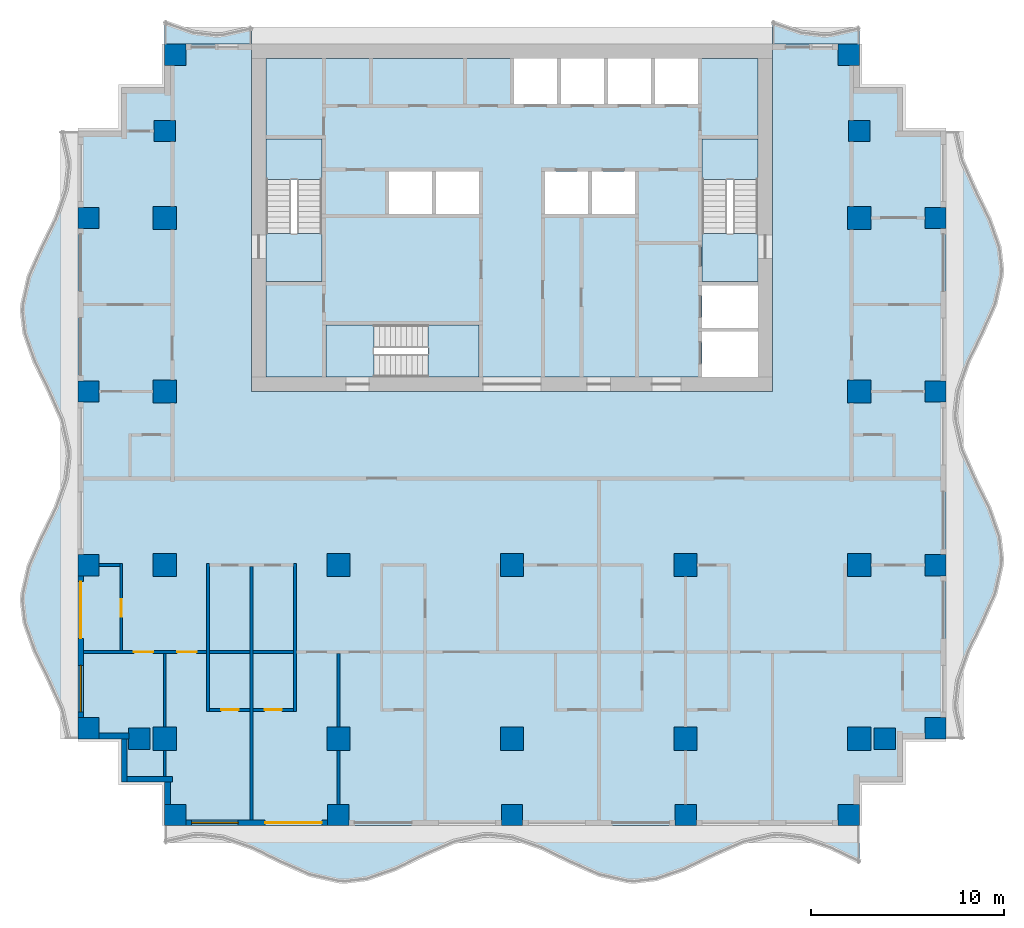
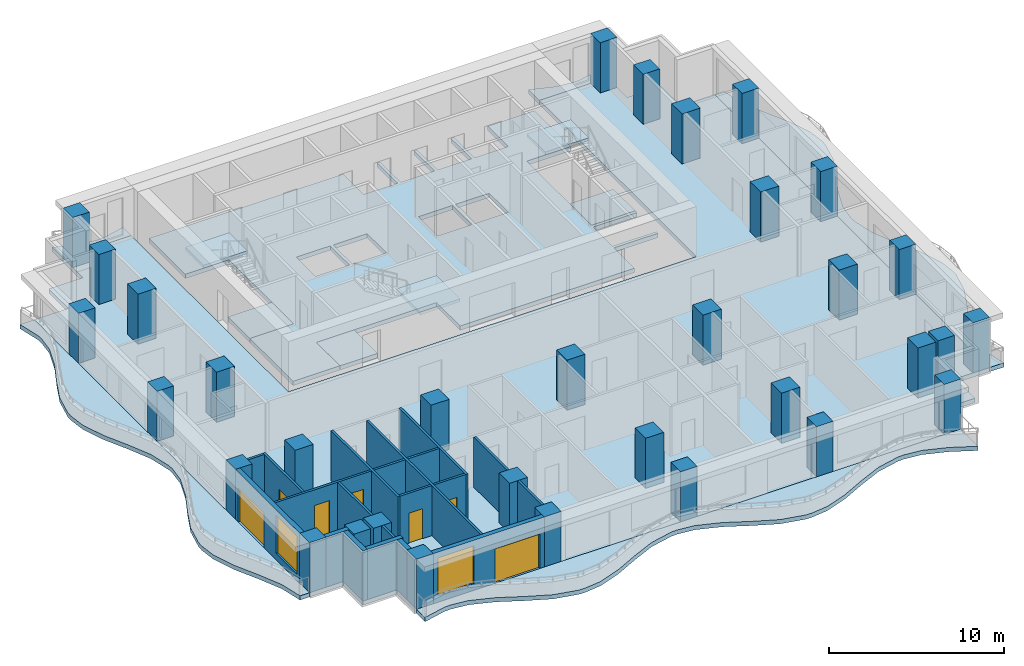
# One storey, part 1 of 10: 33 columns, 20 walls, 13 slabs, 7 doors, 2 windows, 9 openings, 3 elements without a shape of their own.
"""IFC4 building model written with IfcOpenShell, lengths in metres."""

from ifc_helpers import new_model, si_unit, direction, frame, frame_2d, origin, origin_2d, place, context, subcontext, project, spatial, polyline, rectangle, outline, extrude, material, layer, layer_set, material_profile, profile_set, type_object, element, fill, aggregate, save


model = new_model("IFC4")

# Units and contexts
model_context = context("Model", 3, precision=1e-05, world=origin(), true_north=direction((0.0, 1.0)))
body_context = subcontext(model_context, "Body", "Model", "MODEL_VIEW")
ifc_project = project(units=[si_unit("LENGTHUNIT", "METRE"), si_unit("AREAUNIT", "SQUARE_METRE"), si_unit("VOLUMEUNIT", "CUBIC_METRE"), si_unit("PLANEANGLEUNIT", "RADIAN"), si_unit("MASSUNIT", "GRAM", prefix="KILO")], contexts=[model_context])

# Site, building, storey
site_placement = place(None, origin())
site = spatial("IfcSite", under=ifc_project, at=site_placement, CompositionType="ELEMENT")
building_placement = place(site_placement, origin())
building = spatial("IfcBuilding", under=site, at=building_placement, Name="Orbiselva Terraces", CompositionType="ELEMENT")
storey_placement = place(building_placement, frame((0.0, 0.0, 163.0)))
storey = spatial("IfcBuildingStorey", under=building, at=storey_placement, Name="L41", CompositionType="ELEMENT", Elevation=163.0)

# Columns
ifc_material_1 = material(Name="Concrete C60/75", Category="concrete")
ifc_material_profile_1 = material_profile(ifc_material_1, rectangle(XDim=1.2, YDim=1.2, at=origin_2d()), Name="RC 1200x1200")
ifc_profile_set_1 = profile_set([ifc_material_profile_1], Name="Concrete C60/75")
column_type_1 = type_object("IfcColumnType", Name="COLUMN RC 1200x1200", PredefinedType="COLUMN", material=ifc_profile_set_1)
for number, where, z_axis, x_axis, name in (
    (1, (-18.0, -13.5, 0.0), (0.0, 0.0, 1.0), (1.0, 0.0, 0.0), "Column L41-01"),
    (2, (-18.0, -4.5, 0.0), (0.0, 0.0, 1.0), (1.0, 0.0, 0.0), "Column L41-03"),
    (3, (-18.0, 13.5, 0.0), (0.0, 0.0, 1.0), (1.0, 0.0, 0.0), "Column L41-04"),
    (4, (-18.0, 4.5, 0.0), (0.0, 0.0, 1.0), (1.0, 0.0, 0.0), "Column L41-06"),
    (5, (-9.0, -13.5, 0.0), (0.0, 0.0, 1.0), (1.0, 0.0, 0.0), "Column L41-13"),
    (6, (-9.0, -4.5, 0.0), (0.0, 0.0, 1.0), (1.0, 0.0, 0.0), "Column L41-15"),
    (7, (0.0, -13.5, 0.0), (0.0, 0.0, 1.0), (1.0, 0.0, 0.0), "Column L41-16"),
    (8, (0.0, -4.5, 0.0), (0.0, 0.0, 1.0), (1.0, 0.0, 0.0), "Column L41-18"),
    (9, (18.0, -13.5, 0.0), (0.0, 0.0, 1.0), (1.0, 0.0, 0.0), "Column L41-19"),
    (10, (18.0, -4.5, 0.0), (0.0, 0.0, 1.0), (1.0, 0.0, 0.0), "Column L41-21"),
    (11, (18.0, 13.5, 0.0), (0.0, 0.0, 1.0), (1.0, 0.0, 0.0), "Column L41-22"),
    (12, (18.0, 4.5, 0.0), (0.0, 0.0, 1.0), (1.0, 0.0, 0.0), "Column L41-24"),
    (13, (9.0, -13.5, 0.0), (0.0, 0.0, 1.0), (1.0, 0.0, 0.0), "Column L41-31"),
    (14, (9.0, -4.5, 0.0), (0.0, 0.0, 1.0), (1.0, 0.0, 0.0), "Column L41-33"),
):
    element("IfcColumn", number, at=place(storey_placement, frame(where, z_axis=z_axis, x_axis=x_axis)), inside=storey, type_object=column_type_1, Name=name, PredefinedType="COLUMN", context=body_context, shape_type="SweptSolid", body=[
        extrude(rectangle(XDim=1.2, YDim=1.2, at=origin_2d()), origin(), (0.0, 0.0, 1.0), 3.5),
    ])
ifc_material_profile_2 = material_profile(ifc_material_1, rectangle(XDim=1.1, YDim=1.1, at=origin_2d()), Name="RC 1100x1100")
ifc_profile_set_2 = profile_set([ifc_material_profile_2], Name="Concrete C60/75")
column_type_2 = type_object("IfcColumnType", Name="PERIMETER COLUMN RC 1100x1100", PredefinedType="COLUMN", material=ifc_profile_set_2)
for number, where, z_axis, x_axis, name in (
    (15, (-17.45, -17.45, 0.0), (0.0, 0.0, 1.0), (1.0, 0.0, 0.0), "Column L41-02"),
    (16, (-17.45, 21.95, 0.0), (0.0, 0.0, 1.0), (1.0, 0.0, 0.0), "Column L41-05"),
    (17, (-21.95, -12.95, 0.0), (0.0, 0.0, 1.0), (1.0, 0.0, 0.0), "Column L41-07"),
    (18, (-19.32, -13.5, 0.0), (0.0, 0.0, 1.0), (1.0, 0.0, 0.0), "Column L41-08"),
    (19, (-21.95, -4.5, 0.0), (0.0, 0.0, 1.0), (1.0, 0.0, 0.0), "Column L41-09"),
    (20, (-21.95, 13.5, 0.0), (0.0, 0.0, 1.0), (1.0, 0.0, 0.0), "Column L41-10"),
    (21, (-18.0, 18.0, 0.0), (0.0, 0.0, 1.0), (1.0, 0.0, 0.0), "Column L41-11"),
    (22, (-21.95, 4.5, 0.0), (0.0, 0.0, 1.0), (1.0, 0.0, 0.0), "Column L41-12"),
    (23, (-9.0, -17.45, 0.0), (0.0, 0.0, 1.0), (1.0, 0.0, 0.0), "Column L41-14"),
    (24, (0.0, -17.45, 0.0), (0.0, 0.0, 1.0), (1.0, 0.0, 0.0), "Column L41-17"),
    (25, (17.45, -17.45, 0.0), (0.0, 0.0, 1.0), (1.0, 0.0, 0.0), "Column L41-20"),
    (26, (17.45, 21.95, 0.0), (0.0, 0.0, 1.0), (1.0, 0.0, 0.0), "Column L41-23"),
    (27, (21.95, -12.95, 0.0), (0.0, 0.0, 1.0), (1.0, 0.0, 0.0), "Column L41-25"),
    (28, (19.32, -13.5, 0.0), (0.0, 0.0, 1.0), (1.0, 0.0, 0.0), "Column L41-26"),
    (29, (21.95, -4.5, 0.0), (0.0, 0.0, 1.0), (1.0, 0.0, 0.0), "Column L41-27"),
    (30, (21.95, 13.5, 0.0), (0.0, 0.0, 1.0), (1.0, 0.0, 0.0), "Column L41-28"),
    (31, (18.0, 18.0, 0.0), (0.0, 0.0, 1.0), (1.0, 0.0, 0.0), "Column L41-29"),
    (32, (21.95, 4.5, 0.0), (0.0, 0.0, 1.0), (1.0, 0.0, 0.0), "Column L41-30"),
    (33, (9.0, -17.45, 0.0), (0.0, 0.0, 1.0), (1.0, 0.0, 0.0), "Column L41-32"),
):
    element("IfcColumn", number, at=place(storey_placement, frame(where, z_axis=z_axis, x_axis=x_axis)), inside=storey, type_object=column_type_2, Name=name, PredefinedType="COLUMN", context=body_context, shape_type="SweptSolid", body=[
        extrude(rectangle(XDim=1.1, YDim=1.1, at=origin_2d()), origin(), (0.0, 0.0, 1.0), 3.5),
    ])

# Slabs
ifc_material_2 = material(Name="Concrete C40/50", Category="concrete")
ifc_layer_1 = layer(ifc_material_2, 0.3)
ifc_layer_set_1 = layer_set([ifc_layer_1], Name="Concrete C40/50")
slab_type_1 = type_object("IfcSlabType", Name="CORE-SLAB-FLOOR-300", PredefinedType="FLOOR", material=ifc_layer_set_1)
slab_1_placement = place(storey_placement, frame((0.0, 0.0, -0.3)))
element("IfcSlab", 34, at=slab_1_placement, inside=storey, type_object=slab_type_1, Name="L41 S1 floor landing", PredefinedType="FLOOR", context=body_context, shape_type="SweptSolid", body=[
    extrude(outline(polyline([(-12.75, 12.7), (-9.85, 12.7), (-9.85, 10.2), (-12.75, 10.2), (-12.75, 12.7)])), origin(), (0.0, 0.0, 1.0), 0.3),
])
slab_2_placement = place(storey_placement, frame((0.0, 0.0, -0.3)))
element("IfcSlab", 35, at=slab_2_placement, inside=storey, type_object=slab_type_1, Name="L41 S2 floor landing", PredefinedType="FLOOR", context=body_context, shape_type="SweptSolid", body=[
    extrude(outline(polyline([(12.75, 12.7), (12.75, 10.2), (9.85, 10.2), (9.85, 12.7), (12.75, 12.7)])), origin(), (0.0, 0.0, 1.0), 0.3),
])
slab_3_placement = place(storey_placement, frame((0.0, 0.0, -0.3)))
element("IfcSlab", 36, at=slab_3_placement, inside=storey, type_object=slab_type_1, Name="L41 S3 floor landing", PredefinedType="FLOOR", context=body_context, shape_type="SweptSolid", body=[
    extrude(outline(polyline([(-7.15, 5.25), (-9.65, 5.25), (-9.65, 7.95), (-7.15, 7.95), (-7.15, 5.25)])), origin(), (0.0, 0.0, 1.0), 0.3),
])
slab_4_placement = place(storey_placement, frame((0.0, 0.0, -0.3)))
element("IfcSlab", 37, at=slab_4_placement, inside=storey, type_object=slab_type_1, Name="L41 core floor slab 1", PredefinedType="FLOOR", context=body_context, shape_type="SweptSolid", body=[
    extrude(outline(polyline([(-1.7, 5.25), (-1.7, 7.95), (-9.65, 7.95), (-9.65, 5.25), (-12.75, 5.25), (-12.75, 10.2), (-9.85, 10.2), (-9.85, 17.6), (-12.75, 17.6), (-12.75, 21.75), (0.1, 21.75), (0.1, 19.4), (2.3375, 19.4), (2.3375, 21.75), (2.5375, 21.75), (2.5375, 19.4), (4.775, 19.4), (4.775, 21.75), (4.975, 21.75), (4.975, 19.4), (7.2125, 19.4), (7.2125, 21.75), (7.4125, 21.75), (7.4125, 19.4), (9.65, 19.4), (9.65, 21.75), (12.75, 21.75), (12.75, 17.6), (9.85, 17.6), (9.85, 10.2), (12.75, 10.2), (12.75, 10.0), (9.85, 10.0), (9.85, 7.8), (12.75, 7.8), (12.75, 7.6), (9.85, 7.6), (9.85, 5.25), (-1.7, 5.25)]), holes=[polyline([(-4.1375, 13.7), (-4.1375, 15.9), (-6.375, 15.9), (-6.375, 13.7), (-4.1375, 13.7)]), polyline([(-1.7, 13.7), (-1.7, 15.9), (-3.9375, 15.9), (-3.9375, 13.7), (-1.7, 13.7)]), polyline([(3.9375, 15.9), (1.7, 15.9), (1.7, 13.7), (3.9375, 13.7), (3.9375, 15.9)]), polyline([(6.375, 13.7), (6.375, 15.9), (4.1375, 15.9), (4.1375, 13.7), (6.375, 13.7)])]), origin(), (0.0, 0.0, 1.0), 0.3),
])

# Stair, slab
stair_type_1 = type_object("IfcStairType", Name="CORE-STAIR-1300", PredefinedType="HALF_TURN_STAIR", material=ifc_material_2)
stair_1_placement = place(storey_placement, origin())
stair_1 = element("IfcStair", 38, at=stair_1_placement, inside=storey, type_object=stair_type_1, Name="L41 Exit Stair S1", PredefinedType="HALF_TURN_STAIR")
ifc_layer_2 = layer(ifc_material_2, 0.2)
ifc_layer_set_2 = layer_set([ifc_layer_2], Name="Concrete C40/50")
slab_type_2 = type_object("IfcSlabType", Name="CORE-STAIR-LANDING-200", PredefinedType="LANDING", material=ifc_layer_set_2)
slab_5_placement = place(storey_placement, frame((0.0, 0.0, 1.7)))
slab_5 = element("IfcSlab", 39, at=slab_5_placement, type_object=slab_type_2, Name="S1 landing 1", PredefinedType="LANDING", context=body_context, shape_type="SweptSolid", body=[
    extrude(outline(polyline([(-9.85, 15.5), (-9.85, 17.6), (-12.75, 17.6), (-12.75, 15.5), (-9.85, 15.5)])), origin(), (0.0, 0.0, 1.0), 0.2),
])
aggregate(stair_1, [slab_5])

stair_2_placement = place(storey_placement, origin())
stair_2 = element("IfcStair", 40, at=stair_2_placement, inside=storey, type_object=stair_type_1, Name="L41 Exit Stair S2", PredefinedType="HALF_TURN_STAIR")
slab_6_placement = place(storey_placement, frame((0.0, 0.0, 1.7)))
slab_6 = element("IfcSlab", 41, at=slab_6_placement, type_object=slab_type_2, Name="S2 landing 1", PredefinedType="LANDING", context=body_context, shape_type="SweptSolid", body=[
    extrude(outline(polyline([(12.75, 15.5), (12.75, 17.6), (9.85, 17.6), (9.85, 15.5), (12.75, 15.5)])), origin(), (0.0, 0.0, 1.0), 0.2),
])
aggregate(stair_2, [slab_6])

stair_type_2 = type_object("IfcStairType", Name="CORE-STAIR-1200", PredefinedType="HALF_TURN_STAIR", material=ifc_material_2)
stair_3_placement = place(storey_placement, origin())
stair_3 = element("IfcStair", 42, at=stair_3_placement, inside=storey, type_object=stair_type_2, Name="L41 Exit Stair S3", PredefinedType="HALF_TURN_STAIR")
slab_7_placement = place(storey_placement, frame((0.0, 0.0, 1.7)))
slab_7 = element("IfcSlab", 43, at=slab_7_placement, type_object=slab_type_2, Name="S3 landing 1", PredefinedType="LANDING", context=body_context, shape_type="SweptSolid", body=[
    extrude(outline(polyline([(-4.35, 5.25), (-1.7, 5.25), (-1.7, 7.95), (-4.35, 7.95), (-4.35, 5.25)])), origin(), (0.0, 0.0, 1.0), 0.2),
])
aggregate(stair_3, [slab_7])

# Slabs
ifc_material_3 = material(Name="Concrete C50/60", Category="concrete")
ifc_layer_3 = layer(ifc_material_3, 0.3)
ifc_layer_set_3 = layer_set([ifc_layer_3], Name="Concrete C50/60")
slab_type_3 = type_object("IfcSlabType", Name="ENV-BALCONY-SLAB-300", PredefinedType="FLOOR", material=ifc_layer_set_3)
slab_8_placement = place(storey_placement, frame((0.0, 0.0, -0.3)))
element("IfcSlab", 44, at=slab_8_placement, inside=storey, type_object=slab_type_3, Name="Balcony slab L41 S", PredefinedType="FLOOR", context=body_context, shape_type="SweptSolid", body=[
    extrude(outline(polyline([(-18.0, -18.951472), (-16.5, -18.614774), (-16.125, -18.6), (-15.0, -18.730792), (-13.5, -19.255211), (-12.0, -19.987721), (-10.5, -20.648528), (-9.0, -20.985226), (-8.625, -21.0), (-7.5, -20.869208), (-6.0, -20.344789), (-4.5, -19.612279), (-3.0, -18.951472), (-1.5, -18.614774), (-1.125, -18.6), (0.0, -18.730792), (1.5, -19.255211), (3.0, -19.987721), (4.5, -20.648528), (6.0, -20.985226), (6.375, -21.0), (7.5, -20.869208), (9.0, -20.344789), (10.5, -19.612279), (12.0, -18.951472), (13.5, -18.614774), (13.875, -18.6), (15.0, -18.730792), (16.5, -19.255211), (18.0, -19.987721), (18.0, -18.0), (-18.0, -18.0), (-18.0, -18.951472)])), origin(), (0.0, 0.0, 1.0), 0.3),
])
slab_9_placement = place(storey_placement, frame((0.0, 0.0, -0.3)))
element("IfcSlab", 45, at=slab_9_placement, inside=storey, type_object=slab_type_3, Name="Balcony slab L41 E", PredefinedType="FLOOR", context=body_context, shape_type="SweptSolid", body=[
    extrude(outline(polyline([(23.451472, -13.5), (23.114774, -12.0), (23.1, -11.625), (23.230792, -10.5), (23.755211, -9.0), (24.487721, -7.5), (25.148528, -6.0), (25.485226, -4.5), (25.5, -4.125), (25.369208, -3.0), (24.844789, -1.5), (24.112279, 0.0), (23.451472, 1.5), (23.114774, 3.0), (23.1, 3.375), (23.230792, 4.5), (23.755211, 6.0), (24.487721, 7.5), (25.148528, 9.0), (25.485226, 10.5), (25.5, 10.875), (25.369208, 12.0), (24.844789, 13.5), (24.112279, 15.0), (23.451472, 16.5), (23.114774, 18.0), (22.5, 18.0), (22.5, -13.5), (23.451472, -13.5)])), origin(), (0.0, 0.0, 1.0), 0.3),
])
slab_10_placement = place(storey_placement, frame((0.0, 0.0, -0.3)))
element("IfcSlab", 46, at=slab_10_placement, inside=storey, type_object=slab_type_3, Name="Balcony slab L41 NE", PredefinedType="FLOOR", context=body_context, shape_type="SweptSolid", body=[
    extrude(outline(polyline([(18.0, 23.451472), (16.5, 23.114774), (16.125, 23.1), (15.0, 23.230792), (13.5, 23.755211), (13.5, 22.5), (18.0, 22.5), (18.0, 23.451472)])), origin(), (0.0, 0.0, 1.0), 0.3),
])
slab_11_placement = place(storey_placement, frame((0.0, 0.0, -0.3)))
element("IfcSlab", 47, at=slab_11_placement, inside=storey, type_object=slab_type_3, Name="Balcony slab L41 NW", PredefinedType="FLOOR", context=body_context, shape_type="SweptSolid", body=[
    extrude(outline(polyline([(-13.5, 23.451472), (-15.0, 23.114774), (-15.375, 23.1), (-16.5, 23.230792), (-18.0, 23.755211), (-18.0, 22.5), (-13.5, 22.5), (-13.5, 23.451472)])), origin(), (0.0, 0.0, 1.0), 0.3),
])
slab_12_placement = place(storey_placement, frame((0.0, 0.0, -0.3)))
element("IfcSlab", 48, at=slab_12_placement, inside=storey, type_object=slab_type_3, Name="Balcony slab L41 W", PredefinedType="FLOOR", context=body_context, shape_type="SweptSolid", body=[
    extrude(outline(polyline([(-23.451472, 18.0), (-23.114774, 16.5), (-23.1, 16.125), (-23.230792, 15.0), (-23.755211, 13.5), (-24.487721, 12.0), (-25.148528, 10.5), (-25.485226, 9.0), (-25.5, 8.625), (-25.369208, 7.5), (-24.844789, 6.0), (-24.112279, 4.5), (-23.451472, 3.0), (-23.114774, 1.5), (-23.1, 1.125), (-23.230792, 0.0), (-23.755211, -1.5), (-24.487721, -3.0), (-25.148528, -4.5), (-25.485226, -6.0), (-25.5, -6.375), (-25.369208, -7.5), (-24.844789, -9.0), (-24.112279, -10.5), (-23.451472, -12.0), (-23.114774, -13.5), (-22.5, -13.5), (-22.5, 18.0), (-23.451472, 18.0)])), origin(), (0.0, 0.0, 1.0), 0.3),
])
ifc_layer_4 = layer(ifc_material_3, 0.3)
ifc_layer_set_4 = layer_set([ifc_layer_4], Name="Concrete C50/60")
slab_type_4 = type_object("IfcSlabType", Name="FLOOR SLAB 300", PredefinedType="FLOOR", material=ifc_layer_set_4)
slab_13_placement = place(storey_placement, frame((0.0, 0.0, -0.3)))
element("IfcSlab", 49, at=slab_13_placement, inside=storey, type_object=slab_type_4, Name="Floor slab L41", PredefinedType="FLOOR", context=body_context, shape_type="SweptSolid", body=[
    extrude(outline(polyline([(18.0, 22.5), (18.0, 20.25), (20.25, 20.25), (20.25, 18.0), (22.5, 18.0), (22.5, -13.5), (20.25, -13.5), (20.25, -15.75), (18.0, -15.75), (18.0, -18.0), (-18.0, -18.0), (-18.0, -15.75), (-20.25, -15.75), (-20.25, -13.5), (-22.5, -13.5), (-22.5, 18.0), (-20.25, 18.0), (-20.25, 20.25), (-18.0, 20.25), (-18.0, 22.5), (-13.5, 22.5), (-13.5, 4.5), (13.5, 4.5), (13.5, 22.5), (18.0, 22.5)])), origin(), (0.0, 0.0, 1.0), 0.3),
])

# Wall, openings, door, window
ifc_material_4 = material(Name="Terracotta cladding on masonry backing", Category="masonry")
ifc_layer_5 = layer(ifc_material_4, 0.3)
ifc_layer_set_5 = layer_set([ifc_layer_5], Name="Terracotta cladding on masonry backing")
wall_type_1 = type_object("IfcWallType", Name="ENV-WALL-TERRACOTTA-300", PredefinedType="SOLIDWALL", material=ifc_layer_set_5)
wall_1_placement = place(storey_placement, frame((-9.55, -17.85, 0.0), z_axis=(0.0, 0.0, 1.0), x_axis=(-1.0, 0.0, 0.0)))
wall_1 = element("IfcWall", 50, at=wall_1_placement, inside=storey, type_object=wall_type_1, Name="Facade wall L41 S", PredefinedType="SOLIDWALL", context=body_context, shape_type="SweptSolid", body=[
    extrude(rectangle(XDim=7.35, YDim=0.3, at=frame_2d((3.675, 0.0))), origin(), (0.0, 0.0, 1.0), 3.5),
])
opening_1_placement = place(wall_1_placement, frame((4.65, 0.0, 0.45)))
opening_1 = element("IfcOpeningElement", 51, at=opening_1_placement, cuts=wall_1, Name="Opening WN11", PredefinedType="OPENING", context=body_context, shape_type="SweptSolid", body=[
    extrude(rectangle(XDim=2.4, YDim=2.65, at=frame_2d((1.2, 1.325))), frame((0.0, 0.16, 0.0), z_axis=(0.0, -1.0, 0.0), x_axis=(1.0, 0.0, 0.0)), (0.0, 0.0, 1.0), 0.32),
])
opening_2_placement = place(wall_1_placement, frame((0.3, 0.0, 0.0)))
opening_2 = element("IfcOpeningElement", 52, at=opening_2_placement, cuts=wall_1, Name="Opening Z3-D-E09", PredefinedType="OPENING", context=body_context, shape_type="SweptSolid", body=[
    extrude(rectangle(XDim=2.95, YDim=2.4, at=frame_2d((1.475, 1.2))), frame((0.0, 0.16, 0.0), z_axis=(0.0, -1.0, 0.0), x_axis=(1.0, 0.0, 0.0)), (0.0, 0.0, 1.0), 0.32),
])
ifc_material_5 = material(Name="Clear low-e glazing in aluminium frame", Category="aluminium")
door_type_1 = type_object("IfcDoorType", Name="BALCONY DOOR 2950 X 2400", OperationType="DOUBLE_DOOR_SLIDING", PredefinedType="DOOR", material=ifc_material_5)
door_1_placement = place(opening_2_placement, origin())
door_1 = element("IfcDoor", 53, at=door_1_placement, inside=storey, type_object=door_type_1, Name="Z3-D-E09", OperationType="SINGLE_SWING_LEFT", OverallHeight=2.4, OverallWidth=2.95, PredefinedType="DOOR", context=body_context, shape_type="SweptSolid", body=[
    extrude(rectangle(XDim=2.95, YDim=2.4, at=frame_2d((1.475, 1.2))), frame((0.0, 0.025, 0.0), z_axis=(0.0, -1.0, 0.0), x_axis=(1.0, 0.0, 0.0)), (0.0, 0.0, 1.0), 0.05),
])
fill(opening_2, door_1)
window_type = type_object("IfcWindowType", Name="WINDOW 2400 X 2650 S450", PartitioningType="TRIPLE_PANEL_VERTICAL", PredefinedType="WINDOW", material=ifc_material_5)
window_1_placement = place(opening_1_placement, origin())
window_1 = element("IfcWindow", 54, at=window_1_placement, inside=storey, type_object=window_type, Name="Window L41 S", OverallHeight=2.65, OverallWidth=2.4, PartitioningType="SINGLE_PANEL", PredefinedType="WINDOW", context=body_context, shape_type="SweptSolid", body=[
    extrude(rectangle(XDim=2.4, YDim=2.65, at=frame_2d((1.2, 1.325))), frame((0.0, 0.03, 0.0), z_axis=(0.0, -1.0, 0.0), x_axis=(1.0, 0.0, 0.0)), (0.0, 0.0, 1.0), 0.06),
])
fill(opening_1, window_1)

wall_2_placement = place(storey_placement, frame((-22.35, -12.4, 0.0), z_axis=(0.0, 0.0, 1.0), x_axis=(0.0, 1.0, 0.0)))
wall_2 = element("IfcWall", 55, at=wall_2_placement, inside=storey, type_object=wall_type_1, Name="Facade wall L41 W", PredefinedType="SOLIDWALL", context=body_context, shape_type="SweptSolid", body=[
    extrude(rectangle(XDim=7.35, YDim=0.3, at=frame_2d((3.675, 0.0))), origin(), (0.0, 0.0, 1.0), 3.5),
])
opening_3_placement = place(wall_2_placement, frame((4.1, 0.0, 0.0)))
opening_3 = element("IfcOpeningElement", 56, at=opening_3_placement, cuts=wall_2, Name="Opening Z3-D-E08", PredefinedType="OPENING", context=body_context, shape_type="SweptSolid", body=[
    extrude(rectangle(XDim=2.95, YDim=2.4, at=frame_2d((1.475, 1.2))), frame((0.0, 0.16, 0.0), z_axis=(0.0, -1.0, 0.0), x_axis=(1.0, 0.0, 0.0)), (0.0, 0.0, 1.0), 0.32),
])
opening_4_placement = place(wall_2_placement, frame((0.3, 0.0, 0.45)))
opening_4 = element("IfcOpeningElement", 57, at=opening_4_placement, cuts=wall_2, Name="Opening WN11", PredefinedType="OPENING", context=body_context, shape_type="SweptSolid", body=[
    extrude(rectangle(XDim=2.4, YDim=2.65, at=frame_2d((1.2, 1.325))), frame((0.0, 0.16, 0.0), z_axis=(0.0, -1.0, 0.0), x_axis=(1.0, 0.0, 0.0)), (0.0, 0.0, 1.0), 0.32),
])
door_2_placement = place(opening_3_placement, origin())
door_2 = element("IfcDoor", 58, at=door_2_placement, inside=storey, type_object=door_type_1, Name="Z3-D-E08", OperationType="SINGLE_SWING_LEFT", OverallHeight=2.4, OverallWidth=2.95, PredefinedType="DOOR", context=body_context, shape_type="SweptSolid", body=[
    extrude(rectangle(XDim=2.95, YDim=2.4, at=frame_2d((1.475, 1.2))), frame((0.0, 0.025, 0.0), z_axis=(0.0, -1.0, 0.0), x_axis=(1.0, 0.0, 0.0)), (0.0, 0.0, 1.0), 0.05),
])
fill(opening_3, door_2)
window_2_placement = place(opening_4_placement, origin())
window_2 = element("IfcWindow", 59, at=window_2_placement, inside=storey, type_object=window_type, Name="Window L41 W", OverallHeight=2.65, OverallWidth=2.4, PartitioningType="SINGLE_PANEL", PredefinedType="WINDOW", context=body_context, shape_type="SweptSolid", body=[
    extrude(rectangle(XDim=2.4, YDim=2.65, at=frame_2d((1.2, 1.325))), frame((0.0, 0.03, 0.0), z_axis=(0.0, -1.0, 0.0), x_axis=(1.0, 0.0, 0.0)), (0.0, 0.0, 1.0), 0.06),
])
fill(opening_4, window_2)

# Walls
wall_3_placement = place(storey_placement, frame((-19.85, -13.35, 0.0), z_axis=(0.0, 0.0, 1.0), x_axis=(-1.0, 0.0, 0.0)))
element("IfcWall", 60, at=wall_3_placement, inside=storey, type_object=wall_type_1, Name="Facade wall L41 STEP", PredefinedType="SOLIDWALL", context=body_context, shape_type="SweptSolid", body=[
    extrude(rectangle(XDim=1.55, YDim=0.3, at=frame_2d((0.775, 0.0))), origin(), (0.0, 0.0, 1.0), 3.5),
])
wall_4_placement = place(storey_placement, frame((-20.1, -15.75, 0.0), z_axis=(0.0, 0.0, 1.0), x_axis=(0.0, 1.0, 0.0)))
element("IfcWall", 61, at=wall_4_placement, inside=storey, type_object=wall_type_1, Name="Facade wall L41 STEP", PredefinedType="SOLIDWALL", context=body_context, shape_type="SweptSolid", body=[
    extrude(rectangle(XDim=2.25, YDim=0.3, at=frame_2d((1.125, 0.0))), origin(), (0.0, 0.0, 1.0), 3.5),
])
wall_5_placement = place(storey_placement, frame((-17.6, -15.6, 0.0), z_axis=(0.0, 0.0, 1.0), x_axis=(-1.0, 0.0, 0.0)))
element("IfcWall", 62, at=wall_5_placement, inside=storey, type_object=wall_type_1, Name="Facade wall L41 STEP", PredefinedType="SOLIDWALL", context=body_context, shape_type="SweptSolid", body=[
    extrude(rectangle(XDim=2.35, YDim=0.3, at=frame_2d((1.175, 0.0))), origin(), (0.0, 0.0, 1.0), 3.5),
])
wall_6_placement = place(storey_placement, frame((-17.85, -16.9, 0.0), z_axis=(0.0, 0.0, 1.0), x_axis=(0.0, 1.0, 0.0)))
element("IfcWall", 63, at=wall_6_placement, inside=storey, type_object=wall_type_1, Name="Facade wall L41 STEP", PredefinedType="SOLIDWALL", context=body_context, shape_type="SweptSolid", body=[
    extrude(rectangle(XDim=1.15, YDim=0.3, at=frame_2d((0.575, 0.0))), origin(), (0.0, 0.0, 1.0), 3.5),
])

# Wall, opening, door
ifc_material_6 = material(Name="Plasterboard on steel stud partition", Category="steel")
ifc_layer_6 = layer(ifc_material_6, 0.15)
ifc_layer_set_6 = layer_set([ifc_layer_6], Name="Plasterboard on steel stud partition")
wall_type_2 = type_object("IfcWallType", Name="UNIT-PARTITION-150", PredefinedType="PARTITIONING", material=ifc_layer_set_6)
wall_7_placement = place(storey_placement, frame((-15.675, -12.0, 0.0), z_axis=(0.0, 0.0, 1.0), x_axis=(1.0, 0.0, 0.0)))
wall_7 = element("IfcWall", 64, at=wall_7_placement, inside=storey, type_object=wall_type_2, Name="PARTITION L41-001", PredefinedType="PARTITIONING", context=body_context, shape_type="SweptSolid", body=[
    extrude(rectangle(XDim=2.1, YDim=0.15, at=frame_2d((1.05, 0.0))), origin(), (0.0, 0.0, 1.0), 3.5),
])
opening_5_placement = place(wall_7_placement, frame((0.6, 0.0, 0.0)))
opening_5 = element("IfcOpeningElement", 65, at=opening_5_placement, cuts=wall_7, Name="Opening Z3-D-24", PredefinedType="OPENING", context=body_context, shape_type="SweptSolid", body=[
    extrude(rectangle(XDim=0.9, YDim=2.1, at=frame_2d((0.45, 1.05))), frame((0.0, 0.085, 0.0), z_axis=(0.0, -1.0, 0.0), x_axis=(1.0, 0.0, 0.0)), (0.0, 0.0, 1.0), 0.17),
])
ifc_material_7 = material(Name="Painted timber door leaf", Category="wood")
door_type_2 = type_object("IfcDoorType", Name="BATH DOOR 900", OperationType="NOTDEFINED", PredefinedType="DOOR", material=ifc_material_7)
door_3_placement = place(opening_5_placement, origin())
door_3 = element("IfcDoor", 66, at=door_3_placement, inside=storey, type_object=door_type_2, Name="Z3-D-24", OperationType="SINGLE_SWING_LEFT", OverallHeight=2.1, OverallWidth=0.9, PredefinedType="DOOR", context=body_context, shape_type="SweptSolid", body=[
    extrude(rectangle(XDim=0.9, YDim=2.1, at=frame_2d((0.45, 1.05))), frame((0.0, 0.025, 0.0), z_axis=(0.0, -1.0, 0.0), x_axis=(1.0, 0.0, 0.0)), (0.0, 0.0, 1.0), 0.05),
])
fill(opening_5, door_3)

wall_8_placement = place(storey_placement, frame((-13.425, -12.0, 0.0), z_axis=(0.0, 0.0, 1.0), x_axis=(1.0, 0.0, 0.0)))
wall_8 = element("IfcWall", 67, at=wall_8_placement, inside=storey, type_object=wall_type_2, Name="PARTITION L41-002", PredefinedType="PARTITIONING", context=body_context, shape_type="SweptSolid", body=[
    extrude(rectangle(XDim=2.1, YDim=0.15, at=frame_2d((1.05, 0.0))), origin(), (0.0, 0.0, 1.0), 3.5),
])
opening_6_placement = place(wall_8_placement, frame((0.6, 0.0, 0.0)))
opening_6 = element("IfcOpeningElement", 68, at=opening_6_placement, cuts=wall_8, Name="Opening Z3-D-22", PredefinedType="OPENING", context=body_context, shape_type="SweptSolid", body=[
    extrude(rectangle(XDim=0.9, YDim=2.1, at=frame_2d((0.45, 1.05))), frame((0.0, 0.085, 0.0), z_axis=(0.0, -1.0, 0.0), x_axis=(1.0, 0.0, 0.0)), (0.0, 0.0, 1.0), 0.17),
])
door_4_placement = place(opening_6_placement, origin())
door_4 = element("IfcDoor", 69, at=door_4_placement, inside=storey, type_object=door_type_2, Name="Z3-D-22", OperationType="SINGLE_SWING_LEFT", OverallHeight=2.1, OverallWidth=0.9, PredefinedType="DOOR", context=body_context, shape_type="SweptSolid", body=[
    extrude(rectangle(XDim=0.9, YDim=2.1, at=frame_2d((0.45, 1.05))), frame((0.0, 0.025, 0.0), z_axis=(0.0, -1.0, 0.0), x_axis=(1.0, 0.0, 0.0)), (0.0, 0.0, 1.0), 0.05),
])
fill(opening_6, door_4)

# Wall, openings, doors
wall_9_placement = place(storey_placement, frame((-15.825, -9.0, 0.0), z_axis=(0.0, 0.0, 1.0), x_axis=(-1.0, 0.0, 0.0)))
wall_9 = element("IfcWall", 70, at=wall_9_placement, inside=storey, type_object=wall_type_2, Name="PARTITION L41-008", PredefinedType="PARTITIONING", context=body_context, shape_type="SweptSolid", body=[
    extrude(rectangle(XDim=6.375, YDim=0.15, at=frame_2d((3.1875, 0.0))), origin(), (0.0, 0.0, 1.0), 3.5),
])
opening_7_placement = place(wall_9_placement, frame((0.525, 0.0, 0.0)))
opening_7 = element("IfcOpeningElement", 71, at=opening_7_placement, cuts=wall_9, Name="Opening Z3-D-23", PredefinedType="OPENING", context=body_context, shape_type="SweptSolid", body=[
    extrude(rectangle(XDim=1.0, YDim=2.4, at=frame_2d((0.5, 1.2))), frame((0.0, 0.085, 0.0), z_axis=(0.0, -1.0, 0.0), x_axis=(1.0, 0.0, 0.0)), (0.0, 0.0, 1.0), 0.17),
])
opening_8_placement = place(wall_9_placement, frame((2.775, 0.0, 0.0)))
opening_8 = element("IfcOpeningElement", 72, at=opening_8_placement, cuts=wall_9, Name="Opening Z3-D-25", PredefinedType="OPENING", context=body_context, shape_type="SweptSolid", body=[
    extrude(rectangle(XDim=1.0, YDim=2.4, at=frame_2d((0.5, 1.2))), frame((0.0, 0.085, 0.0), z_axis=(0.0, -1.0, 0.0), x_axis=(1.0, 0.0, 0.0)), (0.0, 0.0, 1.0), 0.17),
])
door_type_3 = type_object("IfcDoorType", Name="ROOM DOOR 1000", OperationType="NOTDEFINED", PredefinedType="DOOR", material=ifc_material_7)
door_5_placement = place(opening_7_placement, origin())
door_5 = element("IfcDoor", 73, at=door_5_placement, inside=storey, type_object=door_type_3, Name="Z3-D-23", OperationType="SINGLE_SWING_LEFT", OverallHeight=2.4, OverallWidth=1.0, PredefinedType="DOOR", context=body_context, shape_type="SweptSolid", body=[
    extrude(rectangle(XDim=1.0, YDim=2.4, at=frame_2d((0.5, 1.2))), frame((0.0, 0.025, 0.0), z_axis=(0.0, -1.0, 0.0), x_axis=(1.0, 0.0, 0.0)), (0.0, 0.0, 1.0), 0.05),
])
fill(opening_7, door_5)
door_6_placement = place(opening_8_placement, origin())
door_6 = element("IfcDoor", 74, at=door_6_placement, inside=storey, type_object=door_type_3, Name="Z3-D-25", OperationType="SINGLE_SWING_RIGHT", OverallHeight=2.4, OverallWidth=1.0, PredefinedType="DOOR", context=body_context, shape_type="SweptSolid", body=[
    extrude(rectangle(XDim=1.0, YDim=2.4, at=frame_2d((0.5, 1.2))), frame((0.0, 0.025, 0.0), z_axis=(0.0, -1.0, 0.0), x_axis=(1.0, 0.0, 0.0)), (0.0, 0.0, 1.0), 0.05),
])
fill(opening_8, door_6)

# Walls
for number, where, z_axis, x_axis, name in (
    (75, (-15.675, -9.0, 0.0), (0.0, 0.0, 1.0), (1.0, 0.0, 0.0), "PARTITION L41-009"),
    (76, (-13.425, -9.0, 0.0), (0.0, 0.0, 1.0), (1.0, 0.0, 0.0), "PARTITION L41-010"),
):
    element("IfcWall", number, at=place(storey_placement, frame(where, z_axis=z_axis, x_axis=x_axis)), inside=storey, type_object=wall_type_2, Name=name, PredefinedType="PARTITIONING", context=body_context, shape_type="SweptSolid", body=[
        extrude(rectangle(XDim=2.1, YDim=0.15, at=frame_2d((1.05, 0.0))), origin(), (0.0, 0.0, 1.0), 3.5),
    ])
wall_10_placement = place(storey_placement, frame((-21.4, -4.5, 0.0), z_axis=(0.0, 0.0, 1.0), x_axis=(1.0, 0.0, 0.0)))
element("IfcWall", 77, at=wall_10_placement, inside=storey, type_object=wall_type_2, Name="PARTITION L41-018", PredefinedType="PARTITIONING", context=body_context, shape_type="SweptSolid", body=[
    extrude(rectangle(XDim=1.075, YDim=0.15, at=frame_2d((0.5375, 0.0))), origin(), (0.0, 0.0, 1.0), 3.5),
])

# Wall, opening, door
wall_11_placement = place(storey_placement, frame((-20.25, -8.925, 0.0), z_axis=(0.0, 0.0, 1.0), x_axis=(0.0, 1.0, 0.0)))
wall_11 = element("IfcWall", 78, at=wall_11_placement, inside=storey, type_object=wall_type_2, Name="PARTITION L41-036", PredefinedType="PARTITIONING", context=body_context, shape_type="SweptSolid", body=[
    extrude(rectangle(XDim=4.5, YDim=0.15, at=frame_2d((2.25, 0.0))), origin(), (0.0, 0.0, 1.0), 3.5),
])
opening_9_placement = place(wall_11_placement, frame((1.75, 0.0, 0.0)))
opening_9 = element("IfcOpeningElement", 79, at=opening_9_placement, cuts=wall_11, Name="Opening Z3-D-16", PredefinedType="OPENING", context=body_context, shape_type="SweptSolid", body=[
    extrude(rectangle(XDim=0.9, YDim=2.1, at=frame_2d((0.45, 1.05))), frame((0.0, 0.085, 0.0), z_axis=(0.0, -1.0, 0.0), x_axis=(1.0, 0.0, 0.0)), (0.0, 0.0, 1.0), 0.17),
])
door_type_4 = type_object("IfcDoorType", Name="SERVICE DOOR 900", OperationType="NOTDEFINED", PredefinedType="DOOR", material=ifc_material_7)
door_7_placement = place(opening_9_placement, origin())
door_7 = element("IfcDoor", 80, at=door_7_placement, inside=storey, type_object=door_type_4, Name="Z3-D-16", OperationType="SINGLE_SWING_LEFT", OverallHeight=2.1, OverallWidth=0.9, PredefinedType="DOOR", context=body_context, shape_type="SweptSolid", body=[
    extrude(rectangle(XDim=0.9, YDim=2.1, at=frame_2d((0.45, 1.05))), frame((0.0, 0.025, 0.0), z_axis=(0.0, -1.0, 0.0), x_axis=(1.0, 0.0, 0.0)), (0.0, 0.0, 1.0), 0.05),
])
fill(opening_9, door_7)

# Walls
wall_12_placement = place(storey_placement, frame((-18.0, -15.45, 0.0), z_axis=(0.0, 0.0, 1.0), x_axis=(0.0, 1.0, 0.0)))
element("IfcWall", 81, at=wall_12_placement, inside=storey, type_object=wall_type_2, Name="PARTITION L41-038", PredefinedType="PARTITIONING", context=body_context, shape_type="SweptSolid", body=[
    extrude(rectangle(XDim=1.35, YDim=0.15, at=frame_2d((0.675, 0.0))), origin(), (0.0, 0.0, 1.0), 3.5),
])
wall_13_placement = place(storey_placement, frame((-18.0, -12.9, 0.0), z_axis=(0.0, 0.0, 1.0), x_axis=(0.0, 1.0, 0.0)))
element("IfcWall", 82, at=wall_13_placement, inside=storey, type_object=wall_type_2, Name="PARTITION L41-039", PredefinedType="PARTITIONING", context=body_context, shape_type="SweptSolid", body=[
    extrude(rectangle(XDim=3.825, YDim=0.15, at=frame_2d((1.9125, 0.0))), origin(), (0.0, 0.0, 1.0), 3.5),
])
wall_14_placement = place(storey_placement, frame((-15.75, -12.075, 0.0), z_axis=(0.0, 0.0, 1.0), x_axis=(0.0, 1.0, 0.0)))
element("IfcWall", 83, at=wall_14_placement, inside=storey, type_object=wall_type_2, Name="PARTITION L41-044", PredefinedType="PARTITIONING", context=body_context, shape_type="SweptSolid", body=[
    extrude(rectangle(XDim=7.65, YDim=0.15, at=frame_2d((3.825, 0.0))), origin(), (0.0, 0.0, 1.0), 3.5),
])
wall_15_placement = place(storey_placement, frame((-13.5, -17.7, 0.0), z_axis=(0.0, 0.0, 1.0), x_axis=(0.0, 1.0, 0.0)))
element("IfcWall", 84, at=wall_15_placement, inside=storey, type_object=wall_type_2, Name="PARTITION L41-045", PredefinedType="PARTITIONING", context=body_context, shape_type="SweptSolid", body=[
    extrude(rectangle(XDim=13.125, YDim=0.15, at=frame_2d((6.5625, 0.0))), origin(), (0.0, 0.0, 1.0), 3.5),
])
wall_16_placement = place(storey_placement, frame((-11.25, -12.075, 0.0), z_axis=(0.0, 0.0, 1.0), x_axis=(0.0, 1.0, 0.0)))
element("IfcWall", 85, at=wall_16_placement, inside=storey, type_object=wall_type_2, Name="PARTITION L41-046", PredefinedType="PARTITIONING", context=body_context, shape_type="SweptSolid", body=[
    extrude(rectangle(XDim=7.65, YDim=0.15, at=frame_2d((3.825, 0.0))), origin(), (0.0, 0.0, 1.0), 3.5),
])
wall_17_placement = place(storey_placement, frame((-9.0, -16.9, 0.0), z_axis=(0.0, 0.0, 1.0), x_axis=(0.0, 1.0, 0.0)))
element("IfcWall", 86, at=wall_17_placement, inside=storey, type_object=wall_type_2, Name="PARTITION L41-047", PredefinedType="PARTITIONING", context=body_context, shape_type="SweptSolid", body=[
    extrude(rectangle(XDim=2.8, YDim=0.15, at=frame_2d((1.4, 0.0))), origin(), (0.0, 0.0, 1.0), 3.5),
])
wall_18_placement = place(storey_placement, frame((-9.0, -12.9, 0.0), z_axis=(0.0, 0.0, 1.0), x_axis=(0.0, 1.0, 0.0)))
element("IfcWall", 87, at=wall_18_placement, inside=storey, type_object=wall_type_2, Name="PARTITION L41-048", PredefinedType="PARTITIONING", context=body_context, shape_type="SweptSolid", body=[
    extrude(rectangle(XDim=3.825, YDim=0.15, at=frame_2d((1.9125, 0.0))), origin(), (0.0, 0.0, 1.0), 3.5),
])

save(model, "model.ifc")
